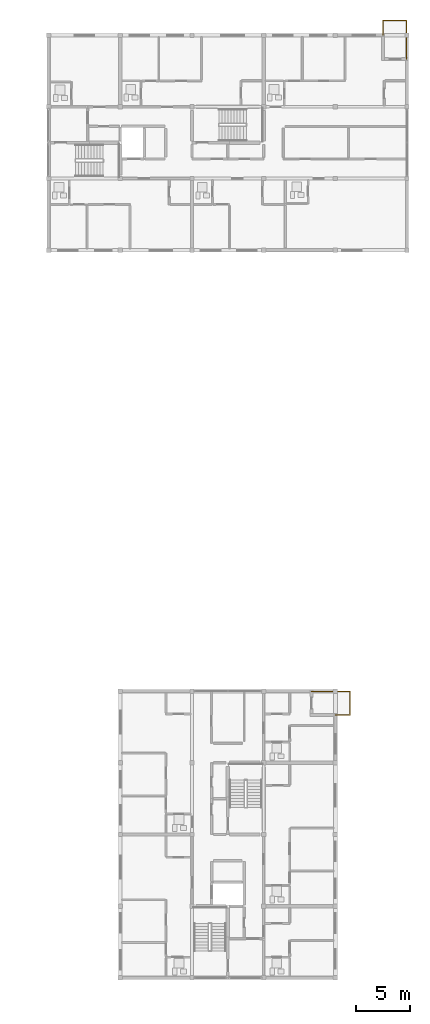
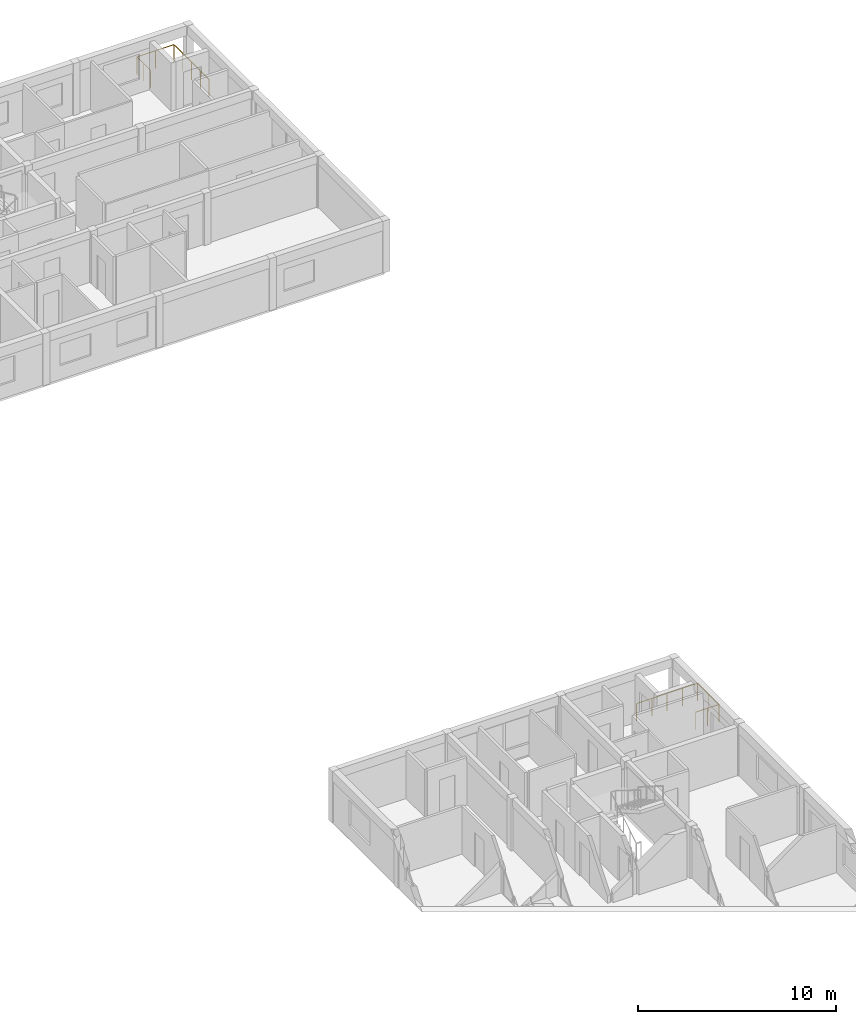
# One storey, part 33 of 34: 2 railings.
"""IFC4 building model written with IfcOpenShell, lengths in metres."""

import ifcopenshell
import ifcopenshell.guid

model = None  # the IFC model being written
_history = None  # IfcOwnerHistory: only IFC2X3 demands one
_inside = {}  # id of a spatial element -> (the spatial element, [elements in it])
_under = {}  # id of a project, library or spatial element -> (it, [spatial elements below it])
_declared = {}  # id of a project -> (the project, [libraries it declares])
_typed = {}  # id of a type object -> (the type object, [elements of that type])
_made_of = {}  # id of a material, layer set ... -> (it, [elements and type objects made of it])


def new_model(schema):
    """Start an empty IFC model of exactly this schema.

    Asked for "IFC4X3", IfcOpenShell would pick the latest addendum, in which some entities
    have other attributes; the version numbers below select the first issue.
    IFC2X3 requires an IfcOwnerHistory on every rooted entity: one is made here for all.
    """
    global model, _history
    if schema == "IFC4X3":
        model = ifcopenshell.file(schema_version=(4, 3, 0, 0))
    else:
        model = ifcopenshell.file(schema=schema)
    _inside.clear()
    _under.clear()
    _declared.clear()
    _typed.clear()
    _made_of.clear()
    _history = None
    if model.schema == "IFC2X3":
        org = make("IfcOrganization", Name="unknown")
        user = make(
            "IfcPersonAndOrganization",
            ThePerson=make("IfcPerson", FamilyName="unknown"),
            TheOrganization=org,
        )
        app = make(
            "IfcApplication",
            ApplicationDeveloper=org,
            Version="unknown",
            ApplicationFullName="unknown",
            ApplicationIdentifier="unknown",
        )
        _history = make(
            "IfcOwnerHistory",
            OwningUser=user,
            OwningApplication=app,
            ChangeAction="ADDED",
            CreationDate=0,
        )
    return model


def make(cls, **values):
    """One entity of the class cls with the attributes given. An attribute that is None is left unset."""
    return model.create_entity(
        cls, **{name: value for name, value in values.items() if value is not None}
    )


def rooted(cls, **values):
    """An entity with a GlobalId (a new one), such as an element, a storey or a relation."""
    return make(cls, GlobalId=ifcopenshell.guid.new(), OwnerHistory=_history, **values)


def si_unit(unit_type, name, prefix=None):
    """IfcSIUnit, for example si_unit("LENGTHUNIT", "METRE", prefix="MILLI")."""
    return make("IfcSIUnit", UnitType=unit_type, Prefix=prefix, Name=name)


def assignment(units):
    """IfcUnitAssignment: the units of a project."""
    return None if units is None else make("IfcUnitAssignment", Units=units)


def point(xyz):
    """IfcCartesianPoint."""
    return None if xyz is None else make("IfcCartesianPoint", Coordinates=xyz)


def direction(xyz):
    """IfcDirection."""
    return None if xyz is None else make("IfcDirection", DirectionRatios=xyz)


def frame(location, z_axis=None, x_axis=None):
    """IfcAxis2Placement3D, a coordinate frame: its origin and axes. An axis left out is left unset."""
    return make(
        "IfcAxis2Placement3D",
        Location=point(location),
        Axis=direction(z_axis),
        RefDirection=direction(x_axis),
    )


def frame_2d(location, x_axis=None):
    """IfcAxis2Placement2D, a coordinate frame in the plane: its origin and x axis."""
    return make(
        "IfcAxis2Placement2D", Location=point(location), RefDirection=direction(x_axis)
    )


def origin():
    """The frame at (0, 0, 0) with its axes left unset."""
    return frame((0.0, 0.0, 0.0))


def origin_2d():
    """The frame at (0, 0) in the plane with its x axis left unset."""
    return frame_2d((0.0, 0.0))


def place(relative_to, where):
    """IfcLocalPlacement: puts the frame where relative to a parent placement (None: the world)."""
    return make(
        "IfcLocalPlacement", PlacementRelTo=relative_to, RelativePlacement=where
    )


def context(
    kind, dimensions, precision=None, world=None, true_north=None, identifier=None
):
    """IfcGeometricRepresentationContext, for example the 3D "Model" context."""
    return make(
        "IfcGeometricRepresentationContext",
        ContextIdentifier=identifier,
        ContextType=kind,
        CoordinateSpaceDimension=dimensions,
        Precision=precision,
        WorldCoordinateSystem=world,
        TrueNorth=true_north,
    )


def subcontext(parent, identifier, kind, view, scale=None):
    """IfcGeometricRepresentationSubContext, for example "Body" below "Model"."""
    return make(
        "IfcGeometricRepresentationSubContext",
        ContextIdentifier=identifier,
        ContextType=kind,
        ParentContext=parent,
        TargetScale=scale,
        TargetView=view,
    )


def project(units=None, contexts=None):
    """IfcProject with its units and contexts."""
    return rooted(
        "IfcProject",
        Name="project",
        RepresentationContexts=contexts,
        UnitsInContext=assignment(units),
    )


def spatial(cls, under=None, at=None, **own):
    """A site, building, storey or space (cls), placed at a placement, below another one or the project."""
    s = rooted(cls, ObjectPlacement=at, **own)
    if under is not None:
        _under.setdefault(under.id(), (under, []))[1].append(s)
    return s


def profile(cls, at=None, kind="AREA", **sizes):
    """A parametric profile (cls). Its sizes go by their IFC names, for example OverallWidth=200.0."""
    return make(cls, ProfileType=kind, Position=at, **sizes)


def circle(**sizes):
    """IfcCircleProfileDef."""
    return profile("IfcCircleProfileDef", **sizes)


def extrude(swept, where, along, depth):
    """IfcExtrudedAreaSolid: the profile swept, set in the frame where, extruded along a direction by depth."""
    return make(
        "IfcExtrudedAreaSolid",
        SweptArea=swept,
        Position=where,
        ExtrudedDirection=direction(along),
        Depth=depth,
    )


def shape(context_of_items, identifier, shape_type, items):
    """IfcShapeRepresentation: the items that make up one representation, for example the "Body"."""
    return make(
        "IfcShapeRepresentation",
        ContextOfItems=context_of_items,
        RepresentationIdentifier=identifier,
        RepresentationType=shape_type,
        Items=items,
    )


def material(Name=None, Category=None):
    """IfcMaterial."""
    return make("IfcMaterial", Name=Name, Category=Category)


def made_of(thing, what):
    """Note that an element or type object is made of a material, layer set ...; save() writes the relation."""
    if what is not None:
        _made_of.setdefault(what.id(), (what, []))[1].append(thing)
    return thing


def type_object(cls, material=None, **own):
    """A type object (cls), such as IfcWallType, which elements share."""
    return made_of(rooted(cls, **own), material)


def element(
    cls,
    number,
    at=None,
    inside=None,
    cuts=None,
    type_object=None,
    material=None,
    context=None,
    identifier="Body",
    shape_type=None,
    held_by="IfcProductDefinitionShape",
    body=None,
    shapes=None,
    **own,
):
    """One element of the class cls, such as IfcWall. Its Tag is "e" and its number.

    at: its placement. inside: the storey or other place that contains it. cuts: it is an
    opening in that element (IfcRelVoidsElement). A single representation is given by context,
    identifier, shape_type and body (its items); several are given by shapes. held_by: the class
    of the entity that holds the representations. save() writes the other relations.
    """
    e = rooted(cls, Tag="e%d" % number, ObjectPlacement=at, **own)
    if body is not None:
        shapes = [shape(context, identifier, shape_type, body)]
    if shapes is not None:
        e.Representation = make(held_by, Representations=shapes)
    if inside is not None:
        _inside.setdefault(inside.id(), (inside, []))[1].append(e)
    if cuts is not None:
        rooted(
            "IfcRelVoidsElement", RelatingBuildingElement=cuts, RelatedOpeningElement=e
        )
    if type_object is not None:
        _typed.setdefault(type_object.id(), (type_object, []))[1].append(e)
    return made_of(e, material)


def aggregate(whole, parts):
    """IfcRelAggregates: a whole, such as a stair, and the parts it consists of."""
    return rooted("IfcRelAggregates", RelatingObject=whole, RelatedObjects=parts)


def save(model, path):
    """Write the relations noted so far, then the file.

    IfcRelAggregates (storeys below a building ...), IfcRelContainedInSpatialStructure (elements
    in a storey), IfcRelDefinesByType, IfcRelAssociatesMaterial and IfcRelDeclares: one each for
    every whole, place, type object, material and project.
    """
    for whole, parts in _under.values():
        aggregate(whole, parts)
    for where, things in _inside.values():
        rooted(
            "IfcRelContainedInSpatialStructure",
            RelatedElements=things,
            RelatingStructure=where,
        )
    for kind, things in _typed.values():
        rooted("IfcRelDefinesByType", RelatedObjects=things, RelatingType=kind)
    for what, things in _made_of.values():
        rooted("IfcRelAssociatesMaterial", RelatedObjects=things, RelatingMaterial=what)
    for by, libraries in _declared.values():
        rooted("IfcRelDeclares", RelatingContext=by, RelatedDefinitions=libraries)
    model.write(path)


model = new_model("IFC4")

# Units and contexts
model_context = context("Model", 3, precision=1e-05, world=origin(), true_north=direction((0.0, 1.0)))
body_context = subcontext(model_context, "Body", "Model", "MODEL_VIEW")
ifc_project = project(units=[si_unit("LENGTHUNIT", "METRE"), si_unit("AREAUNIT", "SQUARE_METRE"), si_unit("VOLUMEUNIT", "CUBIC_METRE"), si_unit("PLANEANGLEUNIT", "RADIAN"), si_unit("MASSUNIT", "GRAM", prefix="KILO")], contexts=[model_context])

# Site, building, storey
site_placement = place(None, origin())
site = spatial("IfcSite", under=ifc_project, at=site_placement, CompositionType="ELEMENT")
building_placement = place(site_placement, origin())
building = spatial("IfcBuilding", under=site, at=building_placement, Name="Kernevlak Ridge Housing Community", CompositionType="ELEMENT")
storey_placement = place(building_placement, frame((0.0, 0.0, 34.0)))
storey = spatial("IfcBuildingStorey", under=building, at=storey_placement, Name="L10", CompositionType="ELEMENT", Elevation=34.0)

# Railings
ifc_material = material(Name="Steel S355", Category="steel")
railing_type = type_object("IfcRailingType", Name="BL-01", PredefinedType="BALUSTRADE", material=ifc_material)
railing_1_placement = place(storey_placement, frame((150.199951171875, 102.39990234375, 0.0)))
element("IfcRailing", 1, at=railing_1_placement, inside=storey, type_object=railing_type, Name="Block B L10 balcony balustrade BL-01 28", PredefinedType="BALUSTRADE", context=body_context, shape_type="SweptSolid", body=[
    extrude(circle(Radius=0.02392578125, at=origin_2d()), frame((0.0, 0.0, 1.076171875), z_axis=(0.0, 1.0, 0.0), x_axis=(-1.0, 0.0, 0.0)), (0.0, 0.0, 1.0), 1.35009765625),
    extrude(circle(Radius=0.02392578125, at=origin_2d()), frame((0.0, 1.35009765625, 1.076171875), z_axis=(1.0, 0.0, 0.0), x_axis=(0.0, 1.0, 0.0)), (0.0, 0.0, 1.0), 2.150146484375),
    extrude(circle(Radius=0.02392578125, at=origin_2d()), frame((2.150146484375, 1.35009765625, 1.076171875), z_axis=(0.0, -1.0, 0.0), x_axis=(1.0, 0.0, 0.0)), (0.0, 0.0, 1.0), 3.550048828125),
    extrude(circle(Radius=0.02099609375, at=origin_2d()), origin(), (0.0, 0.0, 1.0), 1.052001953125),
    extrude(circle(Radius=0.02099609375, at=origin_2d()), frame((0.0, 0.675048828125, 0.0)), (0.0, 0.0, 1.0), 1.052001953125),
    extrude(circle(Radius=0.02099609375, at=origin_2d()), frame((0.0, 1.35009765625, 0.0)), (0.0, 0.0, 1.0), 1.052001953125),
    extrude(circle(Radius=0.02099609375, at=origin_2d()), frame((1.0751953125, 1.35009765625, 0.0)), (0.0, 0.0, 1.0), 1.052001953125),
    extrude(circle(Radius=0.02099609375, at=origin_2d()), frame((2.150146484375, 1.35009765625, 0.0)), (0.0, 0.0, 1.0), 1.052001953125),
    extrude(circle(Radius=0.02099609375, at=origin_2d()), frame((2.150146484375, 0.462646484375, 0.0)), (0.0, 0.0, 1.0), 1.052001953125),
    extrude(circle(Radius=0.02099609375, at=origin_2d()), frame((2.150146484375, -0.4248046875, 0.0)), (0.0, 0.0, 1.0), 1.052001953125),
    extrude(circle(Radius=0.02099609375, at=origin_2d()), frame((2.150146484375, -1.3125, 0.0)), (0.0, 0.0, 1.0), 1.052001953125),
    extrude(circle(Radius=0.02099609375, at=origin_2d()), frame((2.150146484375, -2.199951171875, 0.0)), (0.0, 0.0, 1.0), 1.052001953125),
])
railing_2_placement = place(storey_placement, frame((145.800048828125, 39.800048828125, 0.0)))
element("IfcRailing", 2, at=railing_2_placement, inside=storey, type_object=railing_type, Name="Block C L10 balcony balustrade BL-01 43", PredefinedType="BALUSTRADE", context=body_context, shape_type="SweptSolid", body=[
    extrude(circle(Radius=0.02392578125, at=origin_2d()), frame((0.0, 0.0, 1.076171875), z_axis=(1.0, 0.0, 0.0), x_axis=(0.0, 1.0, 0.0)), (0.0, 0.0, 1.0), 1.349853515625),
    extrude(circle(Radius=0.02392578125, at=origin_2d()), frame((1.349853515625, 0.0, 1.076171875), z_axis=(0.0, 1.0, 0.0), x_axis=(-1.0, 0.0, 0.0)), (0.0, 0.0, 1.0), 2.14990234375),
    extrude(circle(Radius=0.02392578125, at=origin_2d()), frame((1.349853515625, 2.14990234375, 1.076171875), z_axis=(-1.0, 0.0, 0.0), x_axis=(0.0, -1.0, 0.0)), (0.0, 0.0, 1.0), 3.5498046875),
    extrude(circle(Radius=0.02099609375, at=origin_2d()), origin(), (0.0, 0.0, 1.0), 1.052001953125),
    extrude(circle(Radius=0.02099609375, at=origin_2d()), frame((0.6748046875, 0.0, 0.0)), (0.0, 0.0, 1.0), 1.052001953125),
    extrude(circle(Radius=0.02099609375, at=origin_2d()), frame((1.349853515625, 0.0, 0.0)), (0.0, 0.0, 1.0), 1.052001953125),
    extrude(circle(Radius=0.02099609375, at=origin_2d()), frame((1.349853515625, 1.074951171875, 0.0)), (0.0, 0.0, 1.0), 1.052001953125),
    extrude(circle(Radius=0.02099609375, at=origin_2d()), frame((1.349853515625, 2.14990234375, 0.0)), (0.0, 0.0, 1.0), 1.052001953125),
    extrude(circle(Radius=0.02099609375, at=origin_2d()), frame((0.46240234375, 2.14990234375, 0.0)), (0.0, 0.0, 1.0), 1.052001953125),
    extrude(circle(Radius=0.02099609375, at=origin_2d()), frame((-0.425048828125, 2.14990234375, 0.0)), (0.0, 0.0, 1.0), 1.052001953125),
    extrude(circle(Radius=0.02099609375, at=origin_2d()), frame((-1.3125, 2.14990234375, 0.0)), (0.0, 0.0, 1.0), 1.052001953125),
    extrude(circle(Radius=0.02099609375, at=origin_2d()), frame((-2.199951171875, 2.14990234375, 0.0)), (0.0, 0.0, 1.0), 1.052001953125),
])

save(model, "model.ifc")
